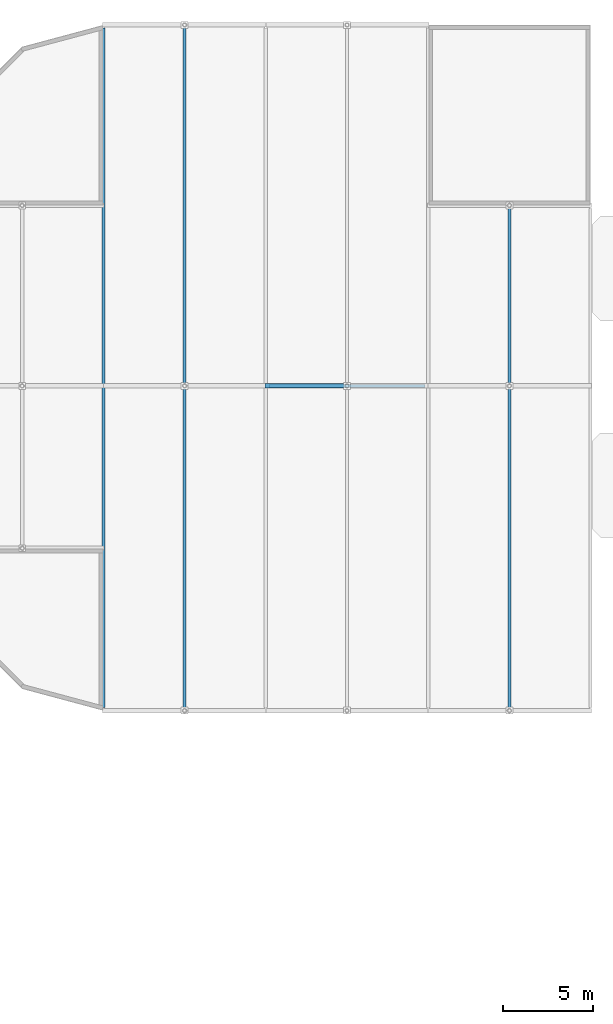
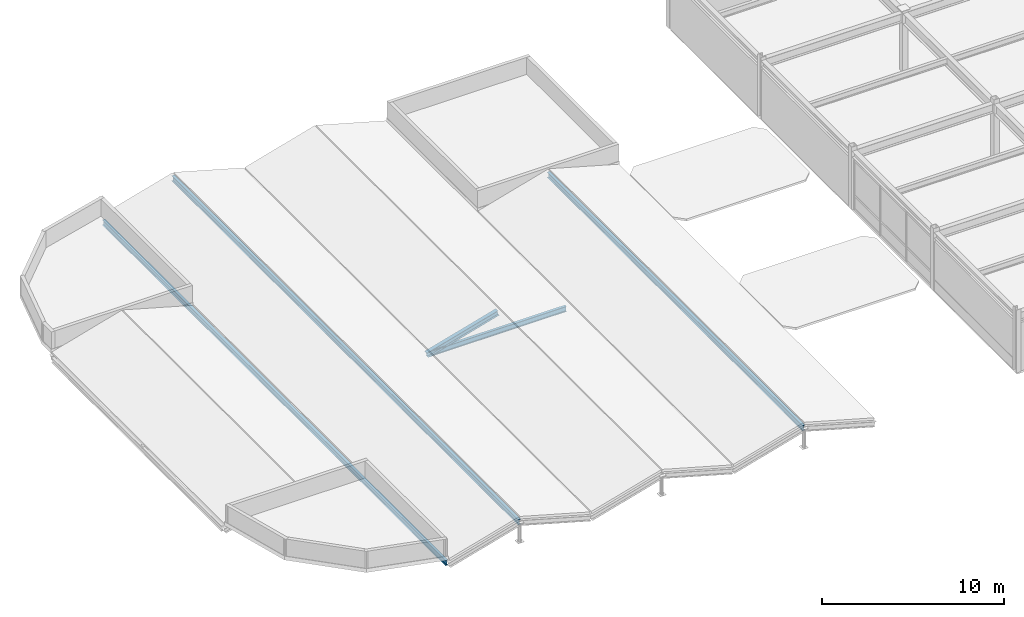
# One storey, part 13 of 40: 3 members, 2 beams.
"""IFC4 building model written with IfcOpenShell, lengths in metres."""

from ifc_helpers import new_model, si_unit, direction, frame, origin, origin_2d, place, context, subcontext, project, spatial, i_section, extrude, material, material_profile, profile_set, type_object, element, save


model = new_model("IFC4")

# Units and contexts
model_context = context("Model", 3, precision=1e-05, world=origin(), true_north=direction((0.0, 1.0)))
body_context = subcontext(model_context, "Body", "Model", "MODEL_VIEW")
ifc_project = project(units=[si_unit("LENGTHUNIT", "METRE"), si_unit("AREAUNIT", "SQUARE_METRE"), si_unit("VOLUMEUNIT", "CUBIC_METRE"), si_unit("PLANEANGLEUNIT", "RADIAN"), si_unit("MASSUNIT", "GRAM", prefix="KILO")], contexts=[model_context])

# Site, building, storey
site_placement = place(None, origin())
site = spatial("IfcSite", under=ifc_project, at=site_placement, CompositionType="ELEMENT")
building_placement = place(site_placement, origin())
building = spatial("IfcBuilding", under=site, at=building_placement, Name="Suzunagisa Mobility Hub", CompositionType="ELEMENT")
storey_placement = place(building_placement, frame((0.0, 0.0, 21.89990234375)))
storey = spatial("IfcBuildingStorey", under=building, at=storey_placement, Name="L05", CompositionType="ELEMENT", Elevation=21.89990234375)

# Members
ifc_material_1 = material(Name="Steel SN400B", Category="steel")
ifc_material_profile_1 = material_profile(ifc_material_1, i_section(OverallWidth=0.25, OverallDepth=0.340087890625, WebThickness=0.009033203125, FlangeThickness=0.013916015625, FilletRadius=0.010009765625, at=origin_2d()), Name="H-340x250x9x14")
ifc_profile_set_1 = profile_set([ifc_material_profile_1], Name="Steel SN400B")
member_type_1 = type_object("IfcMemberType", Name="Roof Truss and Brace Member MB-11 H-340x250x9x14", PredefinedType="RAFTER", material=ifc_profile_set_1)
member_1_placement = place(storey_placement, frame((18.0, 98.0, -0.3798828125), z_axis=(0.962514716328, 0.0, 0.271229461622), x_axis=(0.0, 1.0, 0.0)))
element("IfcMember", 1, at=member_1_placement, inside=storey, type_object=member_type_1, Name="L05 Ramp Canopy Rafter 236", PredefinedType="RAFTER", context=body_context, shape_type="SweptSolid", body=[
    extrude(i_section(OverallWidth=0.25, OverallDepth=0.340087890625, WebThickness=0.009033203125, FlangeThickness=0.013916015625, FilletRadius=0.010009765625, at=origin_2d()), origin(), (0.0, 0.0, 1.0), 4.67529296875),
])
ifc_material_2 = material(Name="Steel SN490B", Category="steel")
ifc_material_profile_2 = material_profile(ifc_material_2, i_section(OverallWidth=0.175048828125, OverallDepth=0.35009765625, WebThickness=0.007080078125, FlangeThickness=0.010986328125, FilletRadius=0.008056640625, at=origin_2d()), Name="H-350x175x7x11")
ifc_profile_set_2 = profile_set([ifc_material_profile_2], Name="Steel SN490B")
member_type_2 = type_object("IfcMemberType", Name="Roof Truss and Brace Member MB-12 H-350x175x7x11", PredefinedType="CHORD", material=ifc_profile_set_2)
member_2_placement = place(storey_placement, frame((13.5, 80.0, 0.88818359375), z_axis=(0.0, 1.0, 0.0), x_axis=(-1.0, 0.0, 0.0)))
element("IfcMember", 2, at=member_2_placement, inside=storey, type_object=member_type_2, Name="L05 Ramp Canopy Ridge Chord 2", PredefinedType="CHORD", context=body_context, shape_type="SweptSolid", body=[
    extrude(i_section(OverallWidth=0.175048828125, OverallDepth=0.35009765625, WebThickness=0.007080078125, FlangeThickness=0.010986328125, FilletRadius=0.008056640625, at=origin_2d()), origin(), (0.0, 0.0, 1.0), 38.0),
])
member_3_placement = place(storey_placement, frame((31.5, 80.0, 0.88818359375), z_axis=(0.0, 1.0, 0.0), x_axis=(-1.0, 0.0, 0.0)))
element("IfcMember", 3, at=member_3_placement, inside=storey, type_object=member_type_2, Name="L05 Ramp Canopy Ridge Chord 4", PredefinedType="CHORD", context=body_context, shape_type="SweptSolid", body=[
    extrude(i_section(OverallWidth=0.175048828125, OverallDepth=0.35009765625, WebThickness=0.007080078125, FlangeThickness=0.010986328125, FilletRadius=0.008056640625, at=origin_2d()), origin(), (0.0, 0.0, 1.0), 28.0),
])

# Beams
ifc_material_profile_3 = material_profile(ifc_material_1, i_section(OverallWidth=0.175048828125, OverallDepth=0.35009765625, WebThickness=0.007080078125, FlangeThickness=0.010986328125, FilletRadius=0.008056640625, at=origin_2d()), Name="H-350x175x7x11")
ifc_profile_set_3 = profile_set([ifc_material_profile_3], Name="Steel SN400B")
beam_type_1 = type_object("IfcBeamType", Name="Steel Beam BM-03 H-350x175x7x11", PredefinedType="JOIST", material=ifc_profile_set_3)
beam_1_placement = place(storey_placement, frame((18.179931640625, 98.0, -0.3798828125), z_axis=(1.0, 0.0, 0.0), x_axis=(0.0, 1.0, 0.0)))
element("IfcBeam", 4, at=beam_1_placement, inside=storey, type_object=beam_type_1, Name="L05 Ramp Canopy Truss Tie 2261", PredefinedType="JOIST", context=body_context, shape_type="SweptSolid", body=[
    extrude(i_section(OverallWidth=0.175048828125, OverallDepth=0.35009765625, WebThickness=0.007080078125, FlangeThickness=0.010986328125, FilletRadius=0.008056640625, at=origin_2d()), origin(), (0.0, 0.0, 1.0), 8.64013671875),
])
ifc_material_profile_4 = material_profile(ifc_material_2, i_section(OverallWidth=0.175048828125, OverallDepth=0.35009765625, WebThickness=0.007080078125, FlangeThickness=0.010986328125, FilletRadius=0.008056640625, at=origin_2d()), Name="H-350x175x7x11")
ifc_profile_set_4 = profile_set([ifc_material_profile_4], Name="Steel SN490B")
beam_type_2 = type_object("IfcBeamType", Name="Steel Beam BM-19 H-350x175x7x11", PredefinedType="BEAM", material=ifc_profile_set_4)
beam_2_placement = place(storey_placement, frame((9.0, 80.179931640625, -0.3798828125), z_axis=(0.0, 1.0, 0.0), x_axis=(-1.0, 0.0, 0.0)))
element("IfcBeam", 5, at=beam_2_placement, inside=storey, type_object=beam_type_2, Name="L05 Ramp Drum Canopy Valley Rib 2255", PredefinedType="BEAM", context=body_context, shape_type="SweptSolid", body=[
    extrude(i_section(OverallWidth=0.175048828125, OverallDepth=0.35009765625, WebThickness=0.007080078125, FlangeThickness=0.010986328125, FilletRadius=0.008056640625, at=origin_2d()), origin(), (0.0, 0.0, 1.0), 37.64013671875),
])

save(model, "model.ifc")
